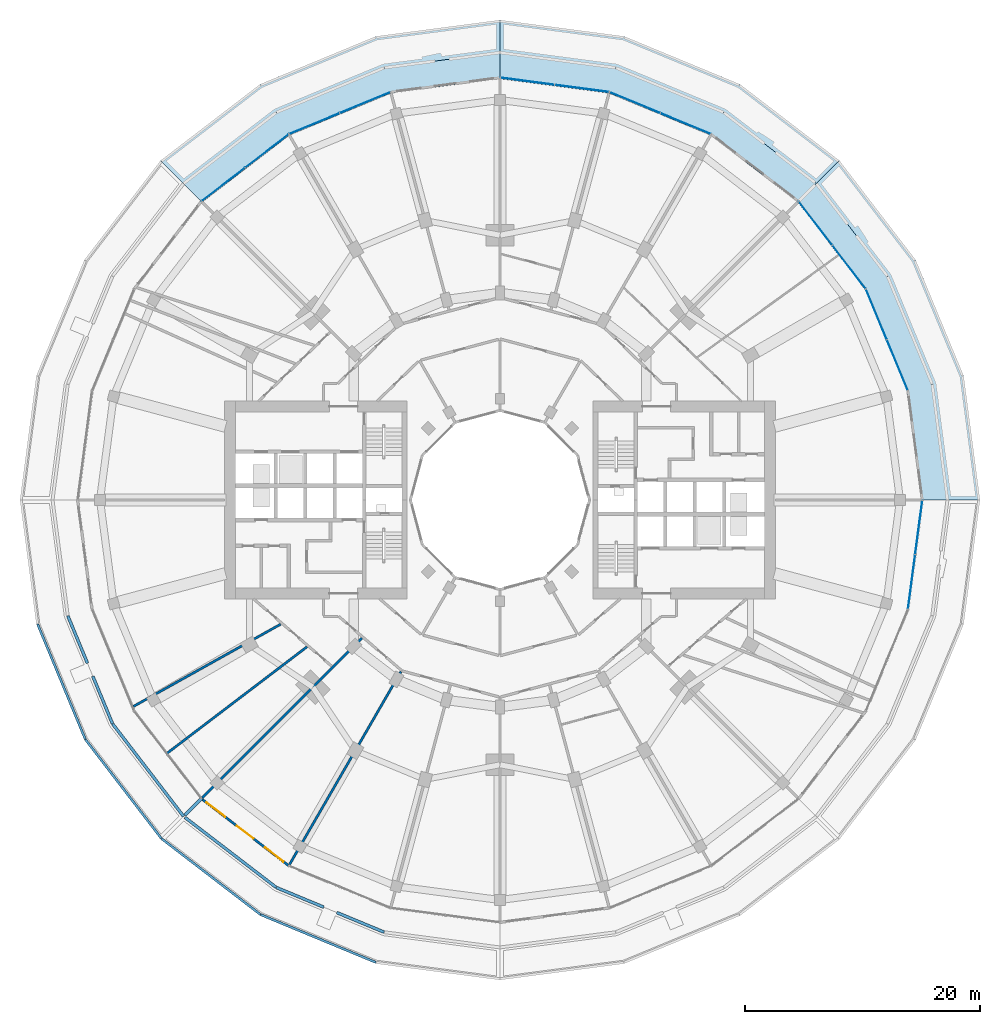
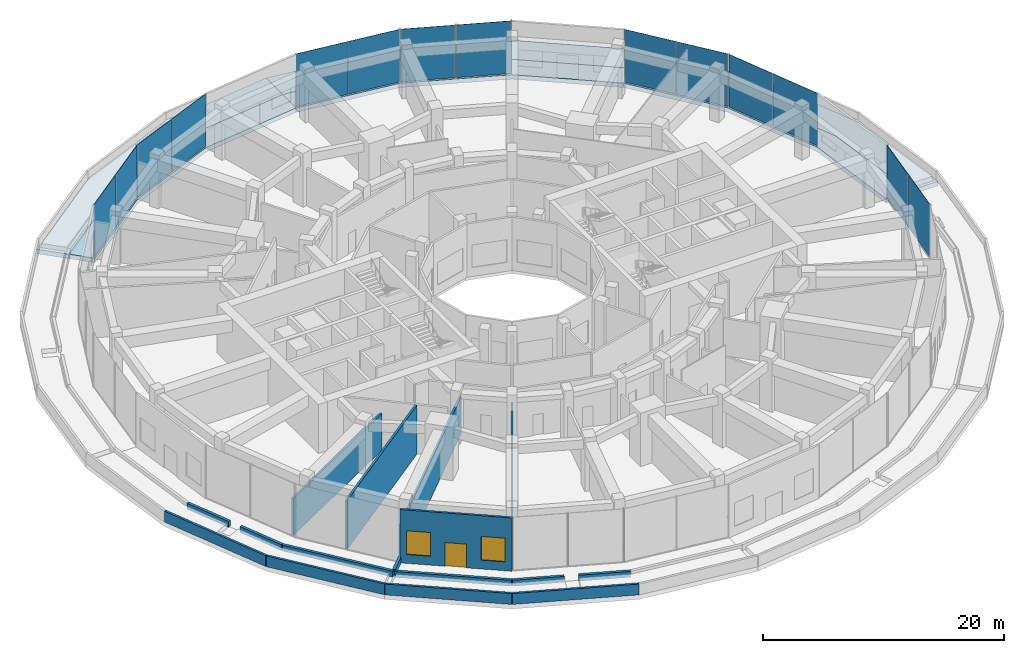
# One storey, part 16 of 26: 16 walls, 14 plates, 6 slabs, 2 windows, 1 door, 3 openings, 7 elements without a shape of their own.
"""IFC4 building model written with IfcOpenShell, lengths in metres."""

from ifc_helpers import new_model, si_unit, direction, frame, frame_2d, origin, origin_2d, place, context, subcontext, project, spatial, polyline, rectangle, outline, extrude, material, layer, layer_set, type_object, element, fill, aggregate, save


model = new_model("IFC4")

# Units and contexts
model_context = context("Model", 3, precision=1e-05, world=origin(), true_north=direction((0.0, 1.0)))
body_context = subcontext(model_context, "Body", "Model", "MODEL_VIEW")
ifc_project = project(units=[si_unit("LENGTHUNIT", "METRE"), si_unit("AREAUNIT", "SQUARE_METRE"), si_unit("VOLUMEUNIT", "CUBIC_METRE"), si_unit("PLANEANGLEUNIT", "RADIAN"), si_unit("MASSUNIT", "GRAM", prefix="KILO")], contexts=[model_context])

# Site, building, storey
site_placement = place(None, origin())
site = spatial("IfcSite", under=ifc_project, at=site_placement, CompositionType="ELEMENT")
building_placement = place(site_placement, origin())
building = spatial("IfcBuilding", under=site, at=building_placement, Name="Torre Brocal", CompositionType="ELEMENT")
storey_placement = place(building_placement, frame((0.0, 0.0, 12.39990234375)))
storey = spatial("IfcBuildingStorey", under=building, at=storey_placement, Name="L02", CompositionType="ELEMENT", Elevation=12.39990234375)

# Curtain wall, plates
ifc_material_1 = material(Name="Aluminium and glass", Category="aluminium")
ifc_layer_1 = layer(ifc_material_1, 0.199951171875)
ifc_layer_set_1 = layer_set([ifc_layer_1], Name="Aluminium and glass")
curtain_wall_type = type_object("IfcCurtainWallType", Name="CW-6 CURTAIN WALL 5400 HIGH", PredefinedType="NOTDEFINED", material=ifc_layer_set_1)
curtain_wall_1_placement = place(storey_placement, origin())
curtain_wall_1 = element("IfcCurtainWall", 1, at=curtain_wall_1_placement, inside=storey, type_object=curtain_wall_type, Name="CW-6 RUN 2", PredefinedType="NOTDEFINED")
ifc_material_2 = material(Name="Glass, dark tinted laminated", Category="glass")
ifc_layer_2 = layer(ifc_material_2, 0.028076171875)
ifc_layer_set_2 = layer_set([ifc_layer_2], Name="Glass, dark tinted laminated")
plate_type = type_object("IfcPlateType", Name="CW-6 GLASS PANEL 28", PredefinedType="CURTAIN_PANEL", material=ifc_layer_set_2)
plate_1_placement = place(storey_placement, frame((113.7744140625, 86.467529296875, 0.070068359375), z_axis=(0.0, 0.0, 1.0), x_axis=(-0.382683432333, 0.923879532525, 0.0)))
plate_1 = element("IfcPlate", 2, at=plate_1_placement, type_object=plate_type, Name="CW6-1 panel 1.1", PredefinedType="CURTAIN_PANEL", context=body_context, shape_type="SweptSolid", body=[
    extrude(rectangle(XDim=4.61083984375, YDim=0.028076171875, at=origin_2d()), origin(), (0.0, 0.0, 1.0), 5.330078125),
])
plate_2_placement = place(storey_placement, frame((111.990966796875, 90.7734375, 0.070068359375), z_axis=(0.0, 0.0, 1.0), x_axis=(-0.382683432333, 0.923879532525, 0.0)))
plate_2 = element("IfcPlate", 3, at=plate_2_placement, type_object=plate_type, Name="CW6-1 panel 2.1", PredefinedType="CURTAIN_PANEL", context=body_context, shape_type="SweptSolid", body=[
    extrude(rectangle(XDim=4.61083984375, YDim=0.028076171875, at=origin_2d()), origin(), (0.0, 0.0, 1.0), 5.330078125),
])
aggregate(curtain_wall_1, [plate_1, plate_2])

curtain_wall_2_placement = place(storey_placement, origin())
curtain_wall_2 = element("IfcCurtainWall", 4, at=curtain_wall_2_placement, inside=storey, type_object=curtain_wall_type, Name="CW-6 RUN 3", PredefinedType="NOTDEFINED")
plate_3_placement = place(storey_placement, frame((109.65576171875, 94.818115234375, 0.070068359375), z_axis=(0.0, 0.0, 1.0), x_axis=(-0.608761429009, 0.793353340291, 0.0)))
plate_3 = element("IfcPlate", 5, at=plate_3_placement, type_object=plate_type, Name="CW6-1 panel 1.1", PredefinedType="CURTAIN_PANEL", context=body_context, shape_type="SweptSolid", body=[
    extrude(rectangle(XDim=4.61083984375, YDim=0.028076171875, at=origin_2d()), origin(), (0.0, 0.0, 1.0), 5.330078125),
])
plate_4_placement = place(storey_placement, frame((106.818359375, 98.515869140625, 0.070068359375), z_axis=(0.0, 0.0, 1.0), x_axis=(-0.608761429009, 0.793353340291, 0.0)))
plate_4 = element("IfcPlate", 6, at=plate_4_placement, type_object=plate_type, Name="CW6-1 panel 2.1", PredefinedType="CURTAIN_PANEL", context=body_context, shape_type="SweptSolid", body=[
    extrude(rectangle(XDim=4.61083984375, YDim=0.028076171875, at=origin_2d()), origin(), (0.0, 0.0, 1.0), 5.330078125),
])
aggregate(curtain_wall_2, [plate_3, plate_4])

curtain_wall_3_placement = place(storey_placement, origin())
curtain_wall_3 = element("IfcCurtainWall", 7, at=curtain_wall_3_placement, inside=storey, type_object=curtain_wall_type, Name="CW-6 RUN 5", PredefinedType="NOTDEFINED")
plate_5_placement = place(storey_placement, frame((95.7734375, 106.990966796875, 0.070068359375), z_axis=(0.0, 0.0, 1.0), x_axis=(-0.923879532525, 0.382683432333, 0.0)))
plate_5 = element("IfcPlate", 8, at=plate_5_placement, type_object=plate_type, Name="CW6-1 panel 1.1", PredefinedType="CURTAIN_PANEL", context=body_context, shape_type="SweptSolid", body=[
    extrude(rectangle(XDim=4.61083984375, YDim=0.028076171875, at=origin_2d()), origin(), (0.0, 0.0, 1.0), 5.330078125),
])
plate_6_placement = place(storey_placement, frame((91.467529296875, 108.7744140625, 0.070068359375), z_axis=(0.0, 0.0, 1.0), x_axis=(-0.923879532525, 0.382683432333, 0.0)))
plate_6 = element("IfcPlate", 9, at=plate_6_placement, type_object=plate_type, Name="CW6-1 panel 2.1", PredefinedType="CURTAIN_PANEL", context=body_context, shape_type="SweptSolid", body=[
    extrude(rectangle(XDim=4.61083984375, YDim=0.028076171875, at=origin_2d()), origin(), (0.0, 0.0, 1.0), 5.330078125),
])
aggregate(curtain_wall_3, [plate_5, plate_6])

curtain_wall_4_placement = place(storey_placement, origin())
curtain_wall_4 = element("IfcCurtainWall", 10, at=curtain_wall_4_placement, inside=storey, type_object=curtain_wall_type, Name="CW-6 RUN 6", PredefinedType="NOTDEFINED")
plate_7_placement = place(storey_placement, frame((86.9560546875, 109.9833984375, 0.070068359375), z_axis=(0.0, 0.0, 1.0), x_axis=(-0.991444861369, 0.130526192255, 0.0)))
plate_7 = element("IfcPlate", 11, at=plate_7_placement, type_object=plate_type, Name="CW6-1 panel 1.1", PredefinedType="CURTAIN_PANEL", context=body_context, shape_type="SweptSolid", body=[
    extrude(rectangle(XDim=4.61083984375, YDim=0.028076171875, at=origin_2d()), origin(), (0.0, 0.0, 1.0), 5.330078125),
])
plate_8_placement = place(storey_placement, frame((82.335205078125, 110.591796875, 0.070068359375), z_axis=(0.0, 0.0, 1.0), x_axis=(-0.991444861369, 0.130526192255, 0.0)))
plate_8 = element("IfcPlate", 12, at=plate_8_placement, type_object=plate_type, Name="CW6-1 panel 2.1", PredefinedType="CURTAIN_PANEL", context=body_context, shape_type="SweptSolid", body=[
    extrude(rectangle(XDim=4.61083984375, YDim=0.028076171875, at=origin_2d()), origin(), (0.0, 0.0, 1.0), 5.330078125),
])
aggregate(curtain_wall_4, [plate_7, plate_8])

curtain_wall_5_placement = place(storey_placement, origin())
curtain_wall_5 = element("IfcCurtainWall", 13, at=curtain_wall_5_placement, inside=storey, type_object=curtain_wall_type, Name="CW-6 RUN 8", PredefinedType="NOTDEFINED")
plate_9_placement = place(storey_placement, frame((68.532470703125, 108.7744140625, 0.070068359375), z_axis=(0.0, 0.0, 1.0), x_axis=(-0.923879532525, -0.382683432333, 0.0)))
plate_9 = element("IfcPlate", 14, at=plate_9_placement, type_object=plate_type, Name="CW6-1 panel 1.1", PredefinedType="CURTAIN_PANEL", context=body_context, shape_type="SweptSolid", body=[
    extrude(rectangle(XDim=4.61083984375, YDim=0.028076171875, at=origin_2d()), origin(), (0.0, 0.0, 1.0), 5.330078125),
])
plate_10_placement = place(storey_placement, frame((64.2265625, 106.990966796875, 0.070068359375), z_axis=(0.0, 0.0, 1.0), x_axis=(-0.923879532525, -0.382683432333, 0.0)))
plate_10 = element("IfcPlate", 15, at=plate_10_placement, type_object=plate_type, Name="CW6-1 panel 2.1", PredefinedType="CURTAIN_PANEL", context=body_context, shape_type="SweptSolid", body=[
    extrude(rectangle(XDim=4.61083984375, YDim=0.028076171875, at=origin_2d()), origin(), (0.0, 0.0, 1.0), 5.330078125),
])
aggregate(curtain_wall_5, [plate_9, plate_10])

curtain_wall_6_placement = place(storey_placement, origin())
curtain_wall_6 = element("IfcCurtainWall", 16, at=curtain_wall_6_placement, inside=storey, type_object=curtain_wall_type, Name="CW-6 RUN 9", PredefinedType="NOTDEFINED")
plate_11_placement = place(storey_placement, frame((60.181884765625, 104.65576171875, 0.070068359375), z_axis=(0.0, 0.0, 1.0), x_axis=(-0.793353340291, -0.608761429009, 0.0)))
plate_11 = element("IfcPlate", 17, at=plate_11_placement, type_object=plate_type, Name="CW6-1 panel 1.1", PredefinedType="CURTAIN_PANEL", context=body_context, shape_type="SweptSolid", body=[
    extrude(rectangle(XDim=4.61083984375, YDim=0.028076171875, at=origin_2d()), origin(), (0.0, 0.0, 1.0), 5.330078125),
])
plate_12_placement = place(storey_placement, frame((56.484130859375, 101.818359375, 0.070068359375), z_axis=(0.0, 0.0, 1.0), x_axis=(-0.793353340291, -0.608761429009, 0.0)))
plate_12 = element("IfcPlate", 18, at=plate_12_placement, type_object=plate_type, Name="CW6-1 panel 2.1", PredefinedType="CURTAIN_PANEL", context=body_context, shape_type="SweptSolid", body=[
    extrude(rectangle(XDim=4.61083984375, YDim=0.028076171875, at=origin_2d()), origin(), (0.0, 0.0, 1.0), 5.330078125),
])
aggregate(curtain_wall_6, [plate_11, plate_12])

curtain_wall_7_placement = place(storey_placement, origin())
curtain_wall_7 = element("IfcCurtainWall", 19, at=curtain_wall_7_placement, inside=storey, type_object=curtain_wall_type, Name="CW-6 RUN 24", PredefinedType="NOTDEFINED")
plate_13_placement = place(storey_placement, frame((114.9833984375, 68.0439453125, 0.070068359375), z_axis=(0.0, 0.0, 1.0), x_axis=(0.130526192255, 0.991444861369, 0.0)))
plate_13 = element("IfcPlate", 20, at=plate_13_placement, type_object=plate_type, Name="CW6-1 panel 1.1", PredefinedType="CURTAIN_PANEL", context=body_context, shape_type="SweptSolid", body=[
    extrude(rectangle(XDim=4.61083984375, YDim=0.028076171875, at=origin_2d()), origin(), (0.0, 0.0, 1.0), 5.330078125),
])
plate_14_placement = place(storey_placement, frame((115.591796875, 72.664794921875, 0.070068359375), z_axis=(0.0, 0.0, 1.0), x_axis=(0.130526192255, 0.991444861369, 0.0)))
plate_14 = element("IfcPlate", 21, at=plate_14_placement, type_object=plate_type, Name="CW6-1 panel 2.1", PredefinedType="CURTAIN_PANEL", context=body_context, shape_type="SweptSolid", body=[
    extrude(rectangle(XDim=4.61083984375, YDim=0.028076171875, at=origin_2d()), origin(), (0.0, 0.0, 1.0), 5.330078125),
])
aggregate(curtain_wall_7, [plate_13, plate_14])

# Slabs
ifc_material_3 = material(Name="Concrete C45", Category="concrete")
ifc_layer_3 = layer(ifc_material_3, 0.449951171875)
ifc_layer_set_3 = layer_set([ifc_layer_3], Name="Concrete C45")
slab_type_1 = type_object("IfcSlabType", Name="GREEN ROOF PLANTING BED SLAB 450 C45", PredefinedType="ROOF", material=ifc_layer_set_3)
slab_1_placement = place(storey_placement, frame((0.0, 0.0, -0.449951171875)))
element("IfcSlab", 22, at=slab_1_placement, inside=storey, type_object=slab_type_1, Name="Slab ST-04", PredefinedType="ROOF", context=body_context, shape_type="SweptSolid", body=[
    extrude(outline(polyline([(120.79833984375, 75.0), (118.032470703125, 75.0), (116.736572265625, 84.843505859375), (112.93701171875, 94.01611328125), (106.89306640625, 101.89306640625), (108.8486328125, 103.8486328125), (115.332275390625, 95.399169921875), (119.408203125, 85.559326171875), (120.79833984375, 75.0)])), origin(), (0.0, 0.0, 1.0), 0.449951171875),
])
slab_2_placement = place(storey_placement, frame((0.0, 0.0, -0.449951171875)))
element("IfcSlab", 23, at=slab_2_placement, inside=storey, type_object=slab_type_1, Name="Slab ST-04", PredefinedType="ROOF", context=body_context, shape_type="SweptSolid", body=[
    extrude(outline(polyline([(108.8486328125, 103.8486328125), (106.89306640625, 101.89306640625), (99.01611328125, 107.93701171875), (89.843505859375, 111.736572265625), (80.0, 113.032470703125), (80.0, 115.79833984375), (90.559326171875, 114.408203125), (100.399169921875, 110.332275390625), (108.8486328125, 103.8486328125)])), origin(), (0.0, 0.0, 1.0), 0.449951171875),
])
slab_3_placement = place(storey_placement, frame((0.0, 0.0, -0.449951171875)))
element("IfcSlab", 24, at=slab_3_placement, inside=storey, type_object=slab_type_1, Name="Slab ST-04", PredefinedType="ROOF", context=body_context, shape_type="SweptSolid", body=[
    extrude(outline(polyline([(69.440673828125, 114.408203125), (80.0, 115.79833984375), (80.0, 113.032470703125), (70.156494140625, 111.736572265625), (60.98388671875, 107.93701171875), (53.10693359375, 101.89306640625), (51.1513671875, 103.8486328125), (59.600830078125, 110.332275390625), (69.440673828125, 114.408203125)])), origin(), (0.0, 0.0, 1.0), 0.449951171875),
])
ifc_material_4 = material(Name="Concrete C45", Category="concrete")
ifc_layer_4 = layer(ifc_material_4, 0.449951171875)
ifc_layer_set_4 = layer_set([ifc_layer_4], Name="Concrete C45")
slab_type_2 = type_object("IfcSlabType", Name="PT TERRACE SLAB 450 C45", PredefinedType="ROOF", material=ifc_layer_set_4)
slab_4_placement = place(storey_placement, frame((0.0, 0.0, -0.449951171875)))
element("IfcSlab", 25, at=slab_4_placement, inside=storey, type_object=slab_type_2, Name="Slab ST-03", PredefinedType="ROOF", context=body_context, shape_type="SweptSolid", body=[
    extrude(outline(polyline([(114.578369140625, 84.265380859375), (111.002197265625, 92.899169921875), (105.313232421875, 100.313232421875), (106.89306640625, 101.89306640625), (112.93701171875, 94.01611328125), (116.736572265625, 84.843505859375), (118.032470703125, 75.0), (115.79833984375, 75.0), (114.578369140625, 84.265380859375)])), origin(), (0.0, 0.0, 1.0), 0.449951171875),
])
slab_5_placement = place(storey_placement, frame((0.0, 0.0, -0.449951171875)))
element("IfcSlab", 26, at=slab_5_placement, inside=storey, type_object=slab_type_2, Name="Slab ST-03", PredefinedType="ROOF", context=body_context, shape_type="SweptSolid", body=[
    extrude(outline(polyline([(97.899169921875, 106.002197265625), (89.265380859375, 109.578369140625), (80.0, 110.79833984375), (80.0, 113.032470703125), (89.843505859375, 111.736572265625), (99.01611328125, 107.93701171875), (106.89306640625, 101.89306640625), (105.313232421875, 100.313232421875), (97.899169921875, 106.002197265625)])), origin(), (0.0, 0.0, 1.0), 0.449951171875),
])
slab_6_placement = place(storey_placement, frame((0.0, 0.0, -0.449951171875)))
element("IfcSlab", 27, at=slab_6_placement, inside=storey, type_object=slab_type_2, Name="Slab ST-03", PredefinedType="ROOF", context=body_context, shape_type="SweptSolid", body=[
    extrude(outline(polyline([(70.734619140625, 109.578369140625), (62.100830078125, 106.002197265625), (54.686767578125, 100.313232421875), (53.10693359375, 101.89306640625), (60.98388671875, 107.93701171875), (70.156494140625, 111.736572265625), (80.0, 113.032470703125), (80.0, 110.79833984375), (70.734619140625, 109.578369140625)])), origin(), (0.0, 0.0, 1.0), 0.449951171875),
])

# Wall, openings, windows, door
ifc_material_5 = material(Name="Concrete C40", Category="concrete")
ifc_layer_5 = layer(ifc_material_5, 0.199951171875)
ifc_layer_set_5 = layer_set([ifc_layer_5], Name="Concrete C40")
wall_type_1 = type_object("IfcWallType", Name="EXTERNAL WALL 200", PredefinedType="NOTDEFINED", material=ifc_layer_set_5)
wall_1_placement = place(storey_placement, frame((54.615478515625, 49.615478515625, 0.0), z_axis=(0.0, 0.0, 1.0), x_axis=(0.793355555811, -0.608758541676, 0.0)))
wall_1 = element("IfcWall", 28, at=wall_1_placement, inside=storey, type_object=wall_type_1, Name="EXTERNAL WALL", PredefinedType="NOTDEFINED", context=body_context, shape_type="SweptSolid", body=[
    extrude(rectangle(XDim=9.37158203125, YDim=0.199951171875, at=frame_2d((4.685791015625, 0.0))), origin(), (0.0, 0.0, 1.0), 5.400146484375),
])
opening_1_placement = place(wall_1_placement, frame((0.56201171875, 0.0, 0.89990234375)))
opening_1 = element("IfcOpeningElement", 29, at=opening_1_placement, cuts=wall_1, Name="Opening W2", PredefinedType="OPENING", context=body_context, shape_type="SweptSolid", body=[
    extrude(rectangle(XDim=2.0, YDim=2.39990234375, at=frame_2d((1.0, 1.199951171875))), frame((0.0, 0.10986328125, 0.0), z_axis=(0.0, -1.0, 0.0), x_axis=(1.0, 0.0, 0.0)), (0.0, 0.0, 1.0), 0.219970703125),
])
opening_2_placement = place(wall_1_placement, frame((3.785888671875, 0.0, 0.0)))
opening_2 = element("IfcOpeningElement", 30, at=opening_2_placement, cuts=wall_1, Name="Opening L02-E06", PredefinedType="OPENING", context=body_context, shape_type="SweptSolid", body=[
    extrude(rectangle(XDim=1.800048828125, YDim=2.39990234375, at=frame_2d((0.89990234375, 1.199951171875))), frame((0.0, 0.10986328125, 0.0), z_axis=(0.0, -1.0, 0.0), x_axis=(1.0, 0.0, 0.0)), (0.0, 0.0, 1.0), 0.219970703125),
])
opening_3_placement = place(wall_1_placement, frame((6.8095703125, 0.0, 0.89990234375)))
opening_3 = element("IfcOpeningElement", 31, at=opening_3_placement, cuts=wall_1, Name="Opening W2", PredefinedType="OPENING", context=body_context, shape_type="SweptSolid", body=[
    extrude(rectangle(XDim=2.0, YDim=2.39990234375, at=frame_2d((1.0, 1.199951171875))), frame((0.0, 0.10986328125, 0.0), z_axis=(0.0, -1.0, 0.0), x_axis=(1.0, 0.0, 0.0)), (0.0, 0.0, 1.0), 0.219970703125),
])
ifc_material_6 = material(Name="Aluminium and glass", Category="aluminium")
window_type = type_object("IfcWindowType", Name="PODIUM WINDOW 2000X2400", PartitioningType="SINGLE_PANEL", PredefinedType="WINDOW", material=ifc_material_6)
window_1_placement = place(opening_1_placement, origin())
window_1 = element("IfcWindow", 32, at=window_1_placement, inside=storey, type_object=window_type, Name="PODIUM WINDOW 2000X2400", OverallHeight=2.39990234375, OverallWidth=2.0, PartitioningType="SINGLE_PANEL", PredefinedType="WINDOW", context=body_context, shape_type="SweptSolid", body=[
    extrude(rectangle(XDim=2.0, YDim=2.39990234375, at=frame_2d((1.0, 1.199951171875))), frame((0.0, 0.030029296875, 0.0), z_axis=(0.0, -1.0, 0.0), x_axis=(1.0, 0.0, 0.0)), (0.0, 0.0, 1.0), 0.06005859375),
])
fill(opening_1, window_1)
window_2_placement = place(opening_3_placement, origin())
window_2 = element("IfcWindow", 33, at=window_2_placement, inside=storey, type_object=window_type, Name="PODIUM WINDOW 2000X2400", OverallHeight=2.39990234375, OverallWidth=2.0, PartitioningType="SINGLE_PANEL", PredefinedType="WINDOW", context=body_context, shape_type="SweptSolid", body=[
    extrude(rectangle(XDim=2.0, YDim=2.39990234375, at=frame_2d((1.0, 1.199951171875))), frame((0.0, 0.030029296875, 0.0), z_axis=(0.0, -1.0, 0.0), x_axis=(1.0, 0.0, 0.0)), (0.0, 0.0, 1.0), 0.06005859375),
])
fill(opening_3, window_2)
ifc_material_7 = material(Name="Aluminium and glass", Category="aluminium")
door_type = type_object("IfcDoorType", Name="TERRACE DOUBLE DOOR 1800X2400", OperationType="DOUBLE_DOOR_SINGLE_SWING", PredefinedType="DOOR", material=ifc_material_7)
door_placement = place(opening_2_placement, frame((1.800048828125, 0.0, 0.0), z_axis=(0.0, 0.0, 1.0), x_axis=(-1.0, 0.0, 0.0)))
door = element("IfcDoor", 34, at=door_placement, inside=storey, type_object=door_type, Name="DOOR L02-E06", OperationType="DOUBLE_DOOR_SINGLE_SWING", OverallHeight=2.39990234375, OverallWidth=1.800048828125, PredefinedType="DOOR", context=body_context, shape_type="SweptSolid", body=[
    extrude(rectangle(XDim=1.800048828125, YDim=2.39990234375, at=frame_2d((0.89990234375, 1.199951171875))), frame((0.0, 0.02490234375, 0.0), z_axis=(0.0, -1.0, 0.0), x_axis=(1.0, 0.0, 0.0)), (0.0, 0.0, 1.0), 0.050048828125),
])
fill(opening_2, door)

# Walls
ifc_material_8 = material(Name="Concrete C40", Category="concrete")
ifc_layer_6 = layer(ifc_material_8, 0.199951171875)
ifc_layer_set_6 = layer_set([ifc_layer_6], Name="Concrete C40")
wall_type_2 = type_object("IfcWallType", Name="PARAPET WALL 200 THICK 1100 HIGH", PredefinedType="PARAPET", material=ifc_layer_set_6)
wall_2_placement = place(storey_placement, frame((69.45458984375, 35.6943359375, 0.0), z_axis=(0.0, 0.0, 1.0), x_axis=(-0.923876443197, 0.382690890544, 0.0)))
element("IfcWall", 35, at=wall_2_placement, inside=storey, type_object=wall_type_2, Name="PARAPET WALL 8", PredefinedType="PARAPET", context=body_context, shape_type="SweptSolid", body=[
    extrude(rectangle(XDim=10.59765625, YDim=0.199951171875, at=frame_2d((5.298828125, 0.0))), origin(), (0.0, 0.0, 1.0), 1.10009765625),
])
for number, where, z_axis, x_axis, name in (
    (36, (59.640869140625, 39.762939453125, 0.0), (0.0, 0.0, 1.0), (-0.793353052568, 0.608761803977, 0.0), "PARAPET WALL 9"),
    (37, (51.214599609375, 46.23291015625, 0.0), (0.0, 0.0, 1.0), (-0.608761803977, 0.793353052568, 0.0), "PARAPET WALL 10"),
):
    element("IfcWall", number, at=place(storey_placement, frame(where, z_axis=z_axis, x_axis=x_axis)), inside=storey, type_object=wall_type_2, Name=name, PredefinedType="PARAPET", context=body_context, shape_type="SweptSolid", body=[
        extrude(rectangle(XDim=10.597900390625, YDim=0.199951171875, at=frame_2d((5.298828125, 0.0))), origin(), (0.0, 0.0, 1.0), 1.10009765625),
    ])
wall_3_placement = place(storey_placement, frame((44.75, 54.66357421875, 0.0), z_axis=(0.0, 0.0, 1.0), x_axis=(-0.382690890544, 0.923876443197, 0.0)))
element("IfcWall", 38, at=wall_3_placement, inside=storey, type_object=wall_type_2, Name="PARAPET WALL 11", PredefinedType="PARAPET", context=body_context, shape_type="SweptSolid", body=[
    extrude(rectangle(XDim=10.59765625, YDim=0.199951171875, at=frame_2d((5.298828125, 0.0))), origin(), (0.0, 0.0, 1.0), 1.10009765625),
])
ifc_material_9 = material(Name="Gypsum board", Category="Gypsum")
ifc_layer_7 = layer(ifc_material_9, 0.199951171875)
ifc_layer_set_7 = layer_set([ifc_layer_7], Name="Gypsum board")
wall_type_3 = type_object("IfcWallType", Name="PARTITION 200 EI60", PredefinedType="PARTITIONING", material=ifc_layer_set_7)
wall_4_placement = place(storey_placement, frame((51.70361328125, 53.475341796875, 0.0), z_axis=(0.0, 0.0, 1.0), x_axis=(0.795886023824, 0.60544647747, 0.0)))
element("IfcWall", 39, at=wall_4_placement, inside=storey, type_object=wall_type_3, Name="SERVICE ROOM WALL", PredefinedType="PARTITIONING", context=body_context, shape_type="SweptSolid", body=[
    extrude(rectangle(XDim=14.944091796875, YDim=0.199951171875, at=frame_2d((7.47216796875, 0.0))), origin(), (0.0, 0.0, 1.0), 4.9501953125),
])
ifc_material_10 = material(Name="Gypsum board", Category="Gypsum")
ifc_layer_8 = layer(ifc_material_10, 0.199951171875)
ifc_layer_set_8 = layer_set([ifc_layer_8], Name="Gypsum board")
wall_type_4 = type_object("IfcWallType", Name="PARTITION 200 EI60 UNDER BEAM 1650", PredefinedType="PARTITIONING", material=ifc_layer_set_8)
wall_5_placement = place(storey_placement, frame((48.85009765625, 57.4580078125, 0.0), z_axis=(0.0, 0.0, 1.0), x_axis=(0.873063492433, 0.487606540338, 0.0)))
element("IfcWall", 40, at=wall_5_placement, inside=storey, type_object=wall_type_4, Name="PLANT ROOM WALL", PredefinedType="PARTITIONING", context=body_context, shape_type="SweptSolid", body=[
    extrude(rectangle(XDim=14.316162109375, YDim=0.199951171875, at=frame_2d((7.158203125, 0.0))), origin(), (0.0, 0.0, 1.0), 3.75),
])
wall_6_placement = place(storey_placement, frame((54.6865234375, 49.6865234375, 0.0), z_axis=(0.0, 0.0, 1.0), x_axis=(0.707106781187, 0.707106781187, 0.0)))
element("IfcWall", 41, at=wall_6_placement, inside=storey, type_object=wall_type_4, Name="SERVICE ROOM WALL", PredefinedType="PARTITIONING", context=body_context, shape_type="SweptSolid", body=[
    extrude(rectangle(XDim=19.203125, YDim=0.199951171875, at=frame_2d((9.6015625, 0.0))), origin(), (0.0, 0.0, 1.0), 3.75),
])
wall_7_placement = place(storey_placement, frame((62.099365234375, 43.998779296875, 0.0), z_axis=(0.0, 0.0, 1.0), x_axis=(0.500043499619, 0.866000287811, 0.0)))
element("IfcWall", 42, at=wall_7_placement, inside=storey, type_object=wall_type_4, Name="PARTY PARTITION", PredefinedType="PARTITIONING", context=body_context, shape_type="SweptSolid", body=[
    extrude(rectangle(XDim=18.957763671875, YDim=0.199951171875, at=frame_2d((9.47900390625, 0.0))), origin(), (0.0, 0.0, 1.0), 3.75),
])
ifc_material_11 = material(Name="Concrete C35", Category="concrete")
ifc_layer_9 = layer(ifc_material_11, 0.25)
ifc_layer_set_9 = layer_set([ifc_layer_9], Name="Concrete C35")
wall_type_5 = type_object("IfcWallType", Name="PLANTER WALL 250 THICK 600 HIGH", PredefinedType="USERDEFINED", material=ifc_layer_set_9)
wall_8_placement = place(storey_placement, frame((53.10693359375, 48.10693359375, 0.0), z_axis=(0.0, 0.0, 1.0), x_axis=(-0.608752091832, 0.793360504872, 0.0)))
element("IfcWall", 43, at=wall_8_placement, inside=storey, type_object=wall_type_5, Name="PLANTER", ObjectType="PLANTER", PredefinedType="USERDEFINED", context=body_context, shape_type="SweptSolid", body=[
    extrude(rectangle(XDim=9.911865234375, YDim=0.25, at=frame_2d((4.9560546875, 0.0))), origin(), (0.0, 0.0, 1.0), 0.60009765625),
])
for number, where, z_axis, x_axis, name in (
    (44, (47.056640625, 55.9990234375, 0.0), (0.0, 0.0, 1.0), (-0.382680760699, 0.923880639147, 0.0), "PLANTER"),
    (45, (44.93359375, 61.12451171875, 0.0), (0.0, 0.0, 1.0), (-0.382680760699, 0.923880639147, 0.0), "PLANTER"),
    (46, (70.141357421875, 38.269775390625, 0.0), (0.0, 0.0, 1.0), (-0.923880639147, 0.382680760699, 0.0), "PLANTER"),
    (47, (65.015869140625, 40.392822265625, 0.0), (0.0, 0.0, 1.0), (-0.923880639147, 0.382680760699, 0.0), "PLANTER"),
):
    element("IfcWall", number, at=place(storey_placement, frame(where, z_axis=z_axis, x_axis=x_axis)), inside=storey, type_object=wall_type_5, Name=name, ObjectType="PLANTER", PredefinedType="USERDEFINED", context=body_context, shape_type="SweptSolid", body=[
        extrude(rectangle(XDim=4.347900390625, YDim=0.25, at=frame_2d((2.173828125, 0.0))), origin(), (0.0, 0.0, 1.0), 0.60009765625),
    ])
wall_9_placement = place(storey_placement, frame((60.970703125, 42.072998046875, 0.0), z_axis=(0.0, 0.0, 1.0), x_axis=(-0.793348060593, 0.608768309584, 0.0)))
element("IfcWall", 48, at=wall_9_placement, inside=storey, type_object=wall_type_5, Name="PLANTER", ObjectType="PLANTER", PredefinedType="USERDEFINED", context=body_context, shape_type="SweptSolid", body=[
    extrude(rectangle(XDim=9.769287109375, YDim=0.25, at=frame_2d((4.884765625, 0.0))), origin(), (0.0, 0.0, 1.0), 0.60009765625),
])
wall_10_placement = place(storey_placement, frame((53.207763671875, 48.207763671875, 0.0), z_axis=(0.0, 0.0, 1.0), x_axis=(0.707106781187, 0.707106781187, 0.0)))
element("IfcWall", 49, at=wall_10_placement, inside=storey, type_object=wall_type_5, Name="PLANTER", ObjectType="PLANTER", PredefinedType="USERDEFINED", context=body_context, shape_type="SweptSolid", body=[
    extrude(rectangle(XDim=2.091552734375, YDim=0.25, at=frame_2d((1.0458984375, 0.0))), origin(), (0.0, 0.0, 1.0), 0.60009765625),
])

save(model, "model.ifc")
